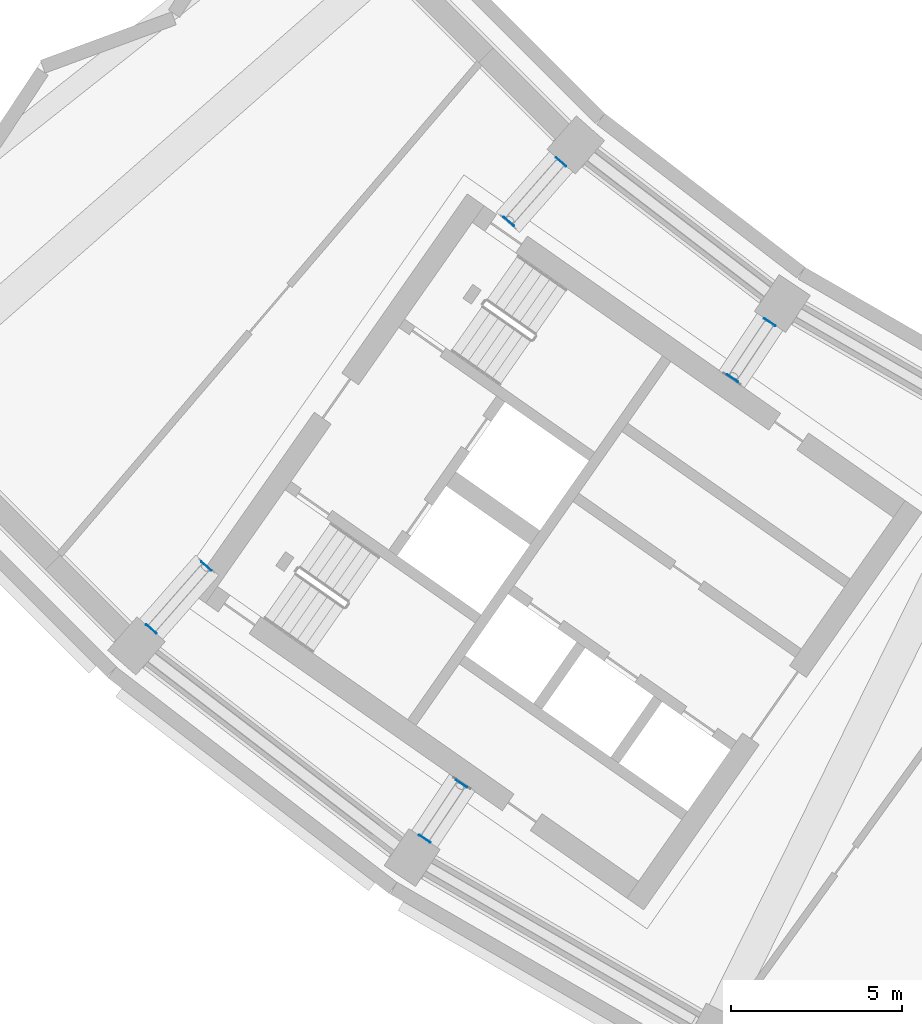
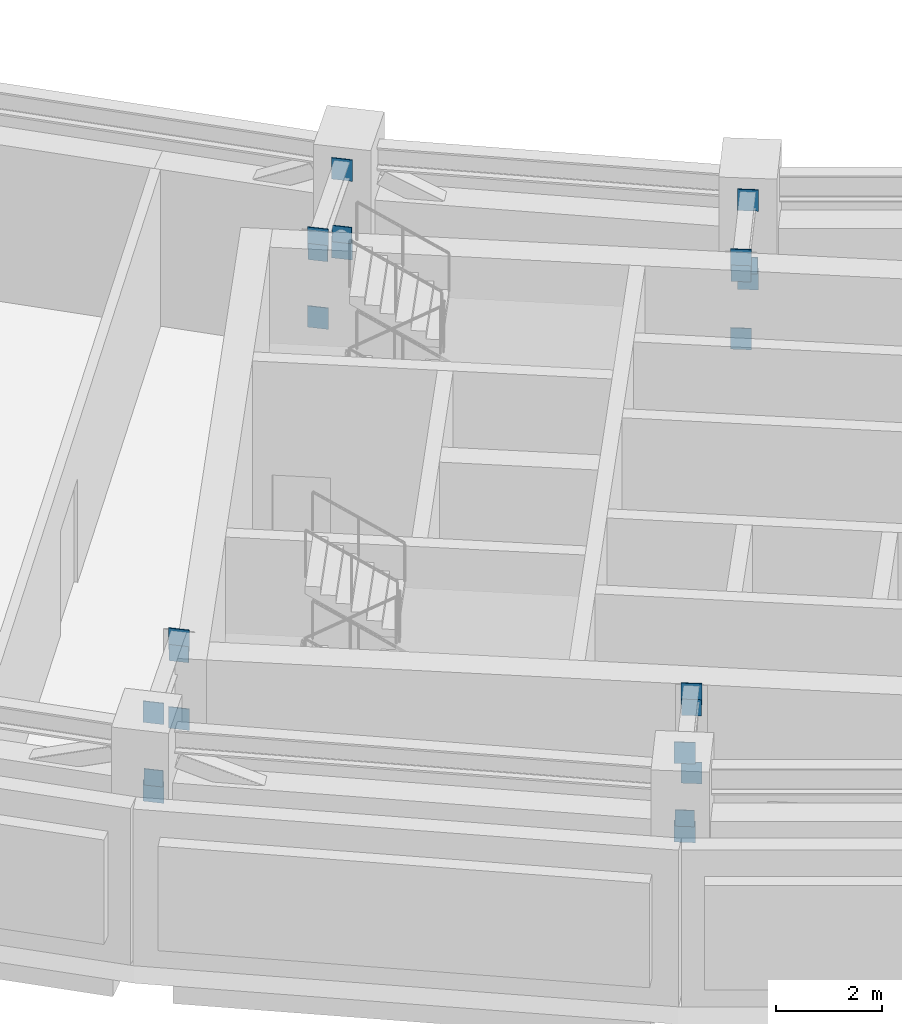
# One storey, part 11 of 24: 24 discrete accessories.
"""IFC4 building model written with IfcOpenShell, lengths in metres."""

from ifc_helpers import new_model, si_unit, direction, frame, origin, origin_2d, place, context, subcontext, project, spatial, rectangle, extrude, material, layer, layer_set, type_object, element, save


model = new_model("IFC4")

# Units and contexts
model_context = context("Model", 3, precision=1e-05, world=origin(), true_north=direction((0.0, 1.0)))
body_context = subcontext(model_context, "Body", "Model", "MODEL_VIEW")
ifc_project = project(units=[si_unit("LENGTHUNIT", "METRE"), si_unit("AREAUNIT", "SQUARE_METRE"), si_unit("VOLUMEUNIT", "CUBIC_METRE"), si_unit("PLANEANGLEUNIT", "RADIAN"), si_unit("MASSUNIT", "GRAM", prefix="KILO")], contexts=[model_context])

# Site, building, storey
site_placement = place(None, origin())
site = spatial("IfcSite", under=ifc_project, at=site_placement, CompositionType="ELEMENT")
building_placement = place(site_placement, origin())
building = spatial("IfcBuilding", under=site, at=building_placement, Name="Qamariyya Broadcast Tower", CompositionType="ELEMENT")
storey_placement = place(building_placement, frame((0.0, 0.0, 198.699951171875)))
storey = spatial("IfcBuildingStorey", under=building, at=storey_placement, Name="L47", CompositionType="ELEMENT", Elevation=198.699951171875)

# Discrete accessories
ifc_material = material(Name="Steel S355", Category="steel")
ifc_layer = layer(ifc_material, 0.02001953125)
ifc_layer_set = layer_set([ifc_layer], Name="End plate 20 Steel S355")
discrete_accessory_type = type_object("IfcDiscreteAccessoryType", Name="End plate 20 Steel S355", PredefinedType="BRACKET", material=ifc_layer_set)
for number, where, z_axis, x_axis, name in (
    (1, (-38.842041015625, -44.290771484375, 4.26025390625), (0.0, 0.0, 1.0), (-0.751839807479, 0.6593458151, 0.0), "End plate EP1 L47 R05 tc"),
    (2, (-40.37109375, -46.034423828125, 4.26025390625), (0.0, 0.0, 1.0), (-0.751839807479, 0.6593458151, 0.0), "End plate EP1 L47 R05 tc"),
    (3, (-38.842041015625, -44.290771484375, 2.4501953125), (0.0, 0.0, 1.0), (-0.751839807479, 0.6593458151, 0.0), "End plate EP1 L47 R05 bc"),
    (4, (-40.37109375, -46.034423828125, 2.4501953125), (0.0, 0.0, 1.0), (-0.751839807479, 0.6593458151, 0.0), "End plate EP1 L47 R05 bc"),
):
    element("IfcDiscreteAccessory", number, at=place(storey_placement, frame(where, z_axis=z_axis, x_axis=x_axis)), inside=storey, type_object=discrete_accessory_type, Name=name, PredefinedType="BRACKET", context=body_context, shape_type="SweptSolid", body=[
        extrude(rectangle(XDim=0.39990234375, YDim=0.02001953125, at=origin_2d()), origin(), (0.0, 0.0, 1.0), 0.489990234375),
    ])
for number, where, z_axis, x_axis, name in (
    (5, (-38.842041015625, -44.290771484375, 2.823486328125), (0.0, 0.0, 1.0), (-0.751839807479, 0.6593458151, 0.0), "End plate EP1 L47 R05 dg"),
    (6, (-40.37109375, -46.034423828125, 4.003662109375), (0.0, 0.0, 1.0), (-0.751839807479, 0.6593458151, 0.0), "End plate EP1 L47 R05 dg"),
):
    element("IfcDiscreteAccessory", number, at=place(storey_placement, frame(where, z_axis=z_axis, x_axis=x_axis)), inside=storey, type_object=discrete_accessory_type, Name=name, PredefinedType="BRACKET", context=body_context, shape_type="SweptSolid", body=[
        extrude(rectangle(XDim=0.373046875, YDim=0.02001953125, at=origin_2d()), origin(), (0.0, 0.0, 1.0), 0.373046875),
    ])
for number, where, z_axis, x_axis, name in (
    (7, (-49.217529296875, -56.121826171875, 4.26025390625), (0.0, 0.0, 1.0), (-0.751839807479, 0.6593458151, 0.0), "End plate EP1 L47 R05 tc"),
    (8, (-50.828857421875, -57.959228515625, 4.26025390625), (0.0, 0.0, 1.0), (-0.751839807479, 0.6593458151, 0.0), "End plate EP1 L47 R05 tc"),
    (9, (-49.217529296875, -56.121826171875, 2.4501953125), (0.0, 0.0, 1.0), (-0.751839807479, 0.6593458151, 0.0), "End plate EP1 L47 R05 bc"),
    (10, (-50.828857421875, -57.959228515625, 2.4501953125), (0.0, 0.0, 1.0), (-0.751839807479, 0.6593458151, 0.0), "End plate EP1 L47 R05 bc"),
):
    element("IfcDiscreteAccessory", number, at=place(storey_placement, frame(where, z_axis=z_axis, x_axis=x_axis)), inside=storey, type_object=discrete_accessory_type, Name=name, PredefinedType="BRACKET", context=body_context, shape_type="SweptSolid", body=[
        extrude(rectangle(XDim=0.39990234375, YDim=0.02001953125, at=origin_2d()), origin(), (0.0, 0.0, 1.0), 0.489990234375),
    ])
for number, where, z_axis, x_axis, name in (
    (11, (-49.217529296875, -56.121826171875, 4.001953125), (0.0, 0.0, 1.0), (-0.751839807479, 0.6593458151, 0.0), "End plate EP1 L47 R05 dg"),
    (12, (-50.828857421875, -57.959228515625, 2.824951171875), (0.0, 0.0, 1.0), (-0.751839807479, 0.6593458151, 0.0), "End plate EP1 L47 R05 dg"),
):
    element("IfcDiscreteAccessory", number, at=place(storey_placement, frame(where, z_axis=z_axis, x_axis=x_axis)), inside=storey, type_object=discrete_accessory_type, Name=name, PredefinedType="BRACKET", context=body_context, shape_type="SweptSolid", body=[
        extrude(rectangle(XDim=0.373046875, YDim=0.02001953125, at=origin_2d()), origin(), (0.0, 0.0, 1.0), 0.373046875),
    ])
for number, where, z_axis, x_axis, name in (
    (13, (-32.728759765625, -48.98193359375, 4.26025390625), (0.0, 0.0, 1.0), (-0.831469612303, 0.55557023302, 0.0), "End plate EP1 L47 R06 tc"),
    (14, (-33.82275390625, -50.619384765625, 4.26025390625), (0.0, 0.0, 1.0), (-0.831469612303, 0.55557023302, 0.0), "End plate EP1 L47 R06 tc"),
    (15, (-32.728759765625, -48.98193359375, 2.4501953125), (0.0, 0.0, 1.0), (-0.831469612303, 0.55557023302, 0.0), "End plate EP1 L47 R06 bc"),
    (16, (-33.82275390625, -50.619384765625, 2.4501953125), (0.0, 0.0, 1.0), (-0.831469612303, 0.55557023302, 0.0), "End plate EP1 L47 R06 bc"),
):
    element("IfcDiscreteAccessory", number, at=place(storey_placement, frame(where, z_axis=z_axis, x_axis=x_axis)), inside=storey, type_object=discrete_accessory_type, Name=name, PredefinedType="BRACKET", context=body_context, shape_type="SweptSolid", body=[
        extrude(rectangle(XDim=0.39990234375, YDim=0.02001953125, at=origin_2d()), origin(), (0.0, 0.0, 1.0), 0.489990234375),
    ])
for number, where, z_axis, x_axis, name in (
    (17, (-32.728759765625, -48.98193359375, 2.817138671875), (0.0, 0.0, 1.0), (-0.831469612303, 0.55557023302, 0.0), "End plate EP1 L47 R06 dg"),
    (18, (-33.82275390625, -50.619384765625, 4.009765625), (0.0, 0.0, 1.0), (-0.831469612303, 0.55557023302, 0.0), "End plate EP1 L47 R06 dg"),
):
    element("IfcDiscreteAccessory", number, at=place(storey_placement, frame(where, z_axis=z_axis, x_axis=x_axis)), inside=storey, type_object=discrete_accessory_type, Name=name, PredefinedType="BRACKET", context=body_context, shape_type="SweptSolid", body=[
        extrude(rectangle(XDim=0.373046875, YDim=0.02001953125, at=origin_2d()), origin(), (0.0, 0.0, 1.0), 0.373046875),
    ])
for number, where, z_axis, x_axis, name in (
    (19, (-41.752685546875, -62.4873046875, 4.26025390625), (0.0, 0.0, 1.0), (-0.831469612303, 0.55557023302, 0.0), "End plate EP1 L47 R06 tc"),
    (20, (-42.828857421875, -64.097900390625, 4.26025390625), (0.0, 0.0, 1.0), (-0.831469612303, 0.55557023302, 0.0), "End plate EP1 L47 R06 tc"),
    (21, (-41.752685546875, -62.4873046875, 2.4501953125), (0.0, 0.0, 1.0), (-0.831469612303, 0.55557023302, 0.0), "End plate EP1 L47 R06 bc"),
    (22, (-42.828857421875, -64.097900390625, 2.4501953125), (0.0, 0.0, 1.0), (-0.831469612303, 0.55557023302, 0.0), "End plate EP1 L47 R06 bc"),
):
    element("IfcDiscreteAccessory", number, at=place(storey_placement, frame(where, z_axis=z_axis, x_axis=x_axis)), inside=storey, type_object=discrete_accessory_type, Name=name, PredefinedType="BRACKET", context=body_context, shape_type="SweptSolid", body=[
        extrude(rectangle(XDim=0.39990234375, YDim=0.02001953125, at=origin_2d()), origin(), (0.0, 0.0, 1.0), 0.489990234375),
    ])
for number, where, z_axis, x_axis, name in (
    (23, (-41.752685546875, -62.4873046875, 4.010498046875), (0.0, 0.0, 1.0), (-0.831469612303, 0.55557023302, 0.0), "End plate EP1 L47 R06 dg"),
    (24, (-42.828857421875, -64.097900390625, 2.81640625), (0.0, 0.0, 1.0), (-0.831469612303, 0.55557023302, 0.0), "End plate EP1 L47 R06 dg"),
):
    element("IfcDiscreteAccessory", number, at=place(storey_placement, frame(where, z_axis=z_axis, x_axis=x_axis)), inside=storey, type_object=discrete_accessory_type, Name=name, PredefinedType="BRACKET", context=body_context, shape_type="SweptSolid", body=[
        extrude(rectangle(XDim=0.373046875, YDim=0.02001953125, at=origin_2d()), origin(), (0.0, 0.0, 1.0), 0.373046875),
    ])

save(model, "model.ifc")
